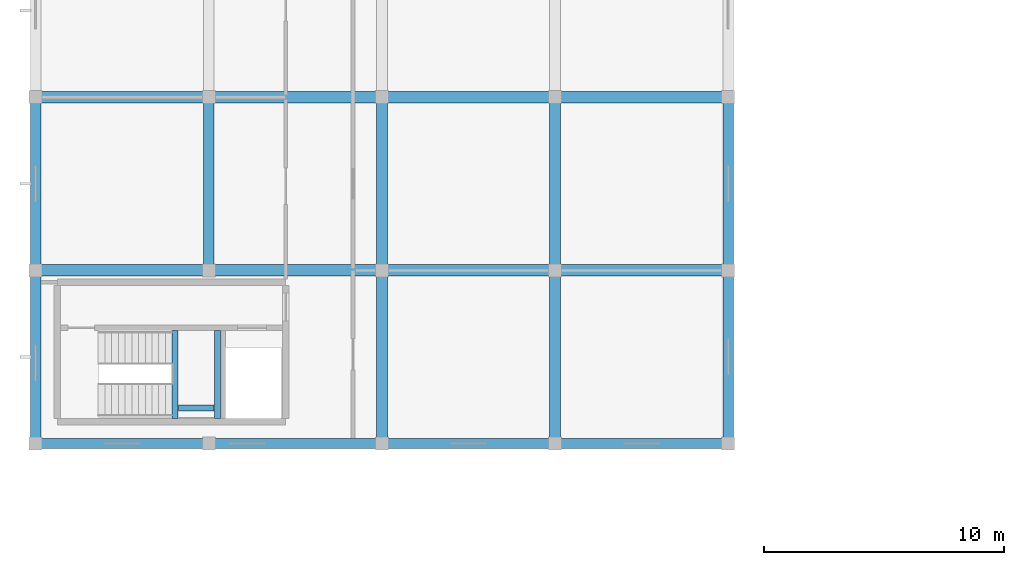
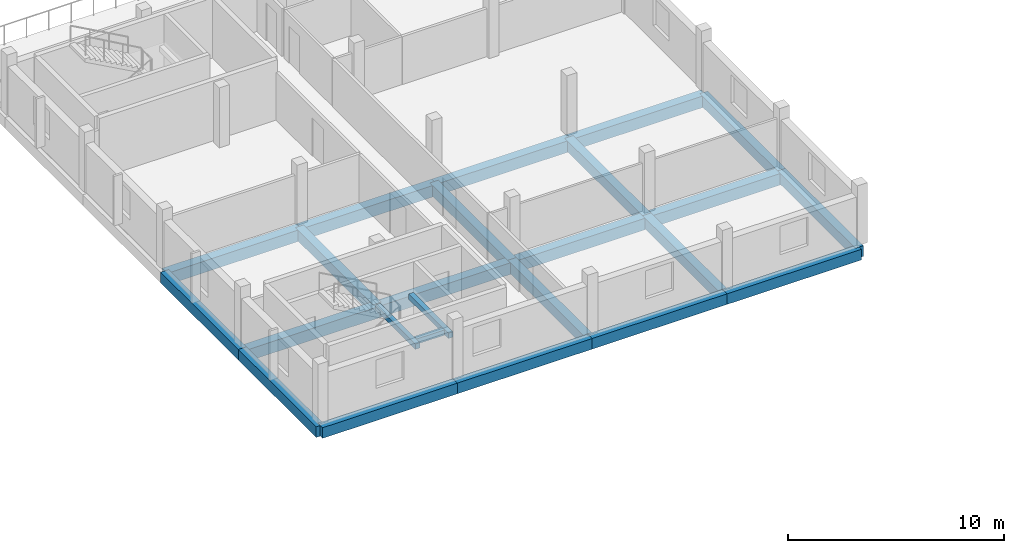
# One storey, part 39 of 84: 24 beams.
"""IFC4 building model written with IfcOpenShell, lengths in metres."""

from ifc_helpers import new_model, si_unit, direction, frame, origin, origin_2d, place, context, subcontext, project, spatial, rectangle, extrude, material, material_profile, profile_set, type_object, element, save


model = new_model("IFC4")

# Units and contexts
model_context = context("Model", 3, precision=1e-05, world=origin(), true_north=direction((0.0, 1.0)))
body_context = subcontext(model_context, "Body", "Model", "MODEL_VIEW")
ifc_project = project(units=[si_unit("LENGTHUNIT", "METRE"), si_unit("AREAUNIT", "SQUARE_METRE"), si_unit("VOLUMEUNIT", "CUBIC_METRE"), si_unit("PLANEANGLEUNIT", "RADIAN"), si_unit("MASSUNIT", "GRAM", prefix="KILO")], contexts=[model_context])

# Site, building, storey
site_placement = place(None, origin())
site = spatial("IfcSite", under=ifc_project, at=site_placement, CompositionType="ELEMENT")
building_placement = place(site_placement, origin())
building = spatial("IfcBuilding", under=site, at=building_placement, Name="Zornivar Specialist Clinic", CompositionType="ELEMENT")
storey_placement = place(building_placement, frame((0.0, 0.0, 12.300048828125)))
storey = spatial("IfcBuildingStorey", under=building, at=storey_placement, Name="L03", CompositionType="ELEMENT", Elevation=12.300048828125)

# Beams
ifc_material_1 = material(Name="Concrete C30/37", Category="concrete")
ifc_material_profile_1 = material_profile(ifc_material_1, rectangle(XDim=0.25, YDim=0.300048828125, at=origin_2d()), Name="RC 250x300")
ifc_profile_set_1 = profile_set([ifc_material_profile_1], Name="Concrete C30/37")
beam_type_1 = type_object("IfcBeamType", Name="BM-LAND-250x300", PredefinedType="BEAM", material=ifc_profile_set_1)
for number, where, z_axis, x_axis, name in (
    (1, (5.800048828125, 80.22998046875, 1.52001953125), (0.0, 1.0, 0.0), (-1.0, 0.0, 0.0), "bm:stair:C7:L03:lW"),
    (2, (7.56005859375, 80.22998046875, 1.52001953125), (0.0, 1.0, 0.0), (-1.0, 0.0, 0.0), "bm:stair:C7:L03:lE"),
):
    element("IfcBeam", number, at=place(storey_placement, frame(where, z_axis=z_axis, x_axis=x_axis)), inside=storey, type_object=beam_type_1, Name=name, PredefinedType="BEAM", context=body_context, shape_type="SweptSolid", body=[
        extrude(rectangle(XDim=0.25, YDim=0.300048828125, at=origin_2d()), origin(), (0.0, 0.0, 1.0), 3.669921875),
    ])
beam_1_placement = place(storey_placement, frame((5.93505859375, 80.679931640625, 1.52001953125), z_axis=(1.0, 0.0, 0.0), x_axis=(0.0, 1.0, 0.0)))
element("IfcBeam", 3, at=beam_1_placement, inside=storey, type_object=beam_type_1, Name="bm:stair:C7:L03:lS", PredefinedType="BEAM", context=body_context, shape_type="SweptSolid", body=[
    extrude(rectangle(XDim=0.25, YDim=0.300048828125, at=origin_2d()), origin(), (0.0, 0.0, 1.0), 1.489990234375),
])
ifc_material_2 = material(Name="Concrete C30/37", Category="concrete")
ifc_material_profile_2 = material_profile(ifc_material_2, rectangle(XDim=0.449951171875, YDim=0.60009765625, at=origin_2d()), Name="RC 450x600")
ifc_profile_set_2 = profile_set([ifc_material_profile_2], Name="Concrete C30/37")
beam_type_2 = type_object("IfcBeamType", Name="BM-RC-450x600", PredefinedType="BEAM", material=ifc_profile_set_2)
beam_2_placement = place(storey_placement, frame((7.199951171875, 86.39990234375, -0.610107421875), z_axis=(0.0, 1.0, 0.0), x_axis=(-1.0, 0.0, 0.0)))
element("IfcBeam", 4, at=beam_2_placement, inside=storey, type_object=beam_type_2, Name="bm:V5:L03:y:72:1", PredefinedType="BEAM", context=body_context, shape_type="SweptSolid", body=[
    extrude(rectangle(XDim=0.449951171875, YDim=0.60009765625, at=origin_2d()), origin(), (0.0, 0.0, 1.0), 7.2001953125),
])
beam_3_placement = place(storey_placement, frame((14.39990234375, 79.199951171875, -0.610107421875), z_axis=(0.0, 1.0, 0.0), x_axis=(-1.0, 0.0, 0.0)))
element("IfcBeam", 5, at=beam_3_placement, inside=storey, type_object=beam_type_2, Name="bm:V5:L03:y:144:0", PredefinedType="BEAM", context=body_context, shape_type="SweptSolid", body=[
    extrude(rectangle(XDim=0.449951171875, YDim=0.60009765625, at=origin_2d()), origin(), (0.0, 0.0, 1.0), 7.199951171875),
])
beam_4_placement = place(storey_placement, frame((14.39990234375, 86.39990234375, -0.610107421875), z_axis=(0.0, 1.0, 0.0), x_axis=(-1.0, 0.0, 0.0)))
element("IfcBeam", 6, at=beam_4_placement, inside=storey, type_object=beam_type_2, Name="bm:V5:L03:y:144:1", PredefinedType="BEAM", context=body_context, shape_type="SweptSolid", body=[
    extrude(rectangle(XDim=0.449951171875, YDim=0.60009765625, at=origin_2d()), origin(), (0.0, 0.0, 1.0), 7.2001953125),
])
beam_5_placement = place(storey_placement, frame((21.60009765625, 79.199951171875, -0.610107421875), z_axis=(0.0, 1.0, 0.0), x_axis=(-1.0, 0.0, 0.0)))
element("IfcBeam", 7, at=beam_5_placement, inside=storey, type_object=beam_type_2, Name="bm:V5:L03:y:216:0", PredefinedType="BEAM", context=body_context, shape_type="SweptSolid", body=[
    extrude(rectangle(XDim=0.449951171875, YDim=0.60009765625, at=origin_2d()), origin(), (0.0, 0.0, 1.0), 7.199951171875),
])
beam_6_placement = place(storey_placement, frame((21.60009765625, 86.39990234375, -0.610107421875), z_axis=(0.0, 1.0, 0.0), x_axis=(-1.0, 0.0, 0.0)))
element("IfcBeam", 8, at=beam_6_placement, inside=storey, type_object=beam_type_2, Name="bm:V5:L03:y:216:1", PredefinedType="BEAM", context=body_context, shape_type="SweptSolid", body=[
    extrude(rectangle(XDim=0.449951171875, YDim=0.60009765625, at=origin_2d()), origin(), (0.0, 0.0, 1.0), 7.2001953125),
])
ifc_material_3 = material(Name="Concrete C30/37", Category="concrete")
ifc_material_profile_3 = material_profile(ifc_material_3, rectangle(XDim=0.47998046875, YDim=0.64990234375, at=origin_2d()), Name="RC 480x650")
ifc_profile_set_3 = profile_set([ifc_material_profile_3], Name="Concrete C30/37")
beam_type_3 = type_object("IfcBeamType", Name="BM-RC-480x650", PredefinedType="BEAM", material=ifc_profile_set_3)
for number, where, z_axis, x_axis, name in (
    (9, (0.0, 86.39990234375, -0.635009765625), (1.0, 0.0, 0.0), (0.0, 1.0, 0.0), "bm:V5:L03:x:864:0"),
    (10, (7.199951171875, 86.39990234375, -0.635009765625), (1.0, 0.0, 0.0), (0.0, 1.0, 0.0), "bm:V5:L03:x:864:1"),
):
    element("IfcBeam", number, at=place(storey_placement, frame(where, z_axis=z_axis, x_axis=x_axis)), inside=storey, type_object=beam_type_3, Name=name, PredefinedType="BEAM", context=body_context, shape_type="SweptSolid", body=[
        extrude(rectangle(XDim=0.47998046875, YDim=0.64990234375, at=origin_2d()), origin(), (0.0, 0.0, 1.0), 7.199951171875),
    ])
beam_7_placement = place(storey_placement, frame((14.39990234375, 86.39990234375, -0.635009765625), z_axis=(1.0, 0.0, 0.0), x_axis=(0.0, 1.0, 0.0)))
element("IfcBeam", 11, at=beam_7_placement, inside=storey, type_object=beam_type_3, Name="bm:V5:L03:x:864:2", PredefinedType="BEAM", context=body_context, shape_type="SweptSolid", body=[
    extrude(rectangle(XDim=0.47998046875, YDim=0.64990234375, at=origin_2d()), origin(), (0.0, 0.0, 1.0), 7.2001953125),
])
for number, where, z_axis, x_axis, name in (
    (12, (21.60009765625, 86.39990234375, -0.635009765625), (1.0, 0.0, 0.0), (0.0, 1.0, 0.0), "bm:V5:L03:x:864:3"),
    (13, (0.0, 93.60009765625, -0.635009765625), (1.0, 0.0, 0.0), (0.0, 1.0, 0.0), "bm:V5:L03:x:936:0"),
    (14, (7.199951171875, 93.60009765625, -0.635009765625), (1.0, 0.0, 0.0), (0.0, 1.0, 0.0), "bm:V5:L03:x:936:1"),
):
    element("IfcBeam", number, at=place(storey_placement, frame(where, z_axis=z_axis, x_axis=x_axis)), inside=storey, type_object=beam_type_3, Name=name, PredefinedType="BEAM", context=body_context, shape_type="SweptSolid", body=[
        extrude(rectangle(XDim=0.47998046875, YDim=0.64990234375, at=origin_2d()), origin(), (0.0, 0.0, 1.0), 7.199951171875),
    ])
beam_8_placement = place(storey_placement, frame((14.39990234375, 93.60009765625, -0.635009765625), z_axis=(1.0, 0.0, 0.0), x_axis=(0.0, 1.0, 0.0)))
element("IfcBeam", 15, at=beam_8_placement, inside=storey, type_object=beam_type_3, Name="bm:V5:L03:x:936:2", PredefinedType="BEAM", context=body_context, shape_type="SweptSolid", body=[
    extrude(rectangle(XDim=0.47998046875, YDim=0.64990234375, at=origin_2d()), origin(), (0.0, 0.0, 1.0), 7.2001953125),
])
beam_9_placement = place(storey_placement, frame((21.60009765625, 93.60009765625, -0.635009765625), z_axis=(1.0, 0.0, 0.0), x_axis=(0.0, 1.0, 0.0)))
element("IfcBeam", 16, at=beam_9_placement, inside=storey, type_object=beam_type_3, Name="bm:V5:L03:x:936:3", PredefinedType="BEAM", context=body_context, shape_type="SweptSolid", body=[
    extrude(rectangle(XDim=0.47998046875, YDim=0.64990234375, at=origin_2d()), origin(), (0.0, 0.0, 1.0), 7.199951171875),
])
ifc_material_4 = material(Name="Concrete C30/37", Category="concrete")
ifc_material_profile_4 = material_profile(ifc_material_4, rectangle(XDim=0.429931640625, YDim=0.60009765625, at=origin_2d()), Name="RC 430x600")
ifc_profile_set_4 = profile_set([ifc_material_profile_4], Name="Concrete C30/37")
beam_type_4 = type_object("IfcBeamType", Name="BM-RC-SPANDREL-430x600", PredefinedType="SPANDREL", material=ifc_profile_set_4)
for number, where, z_axis, x_axis, name in (
    (17, (0.0, 79.199951171875, -0.610107421875), (1.0, 0.0, 0.0), (0.0, 1.0, 0.0), "bm:V5:L03:x:792:0"),
    (18, (7.199951171875, 79.199951171875, -0.610107421875), (1.0, 0.0, 0.0), (0.0, 1.0, 0.0), "bm:V5:L03:x:792:1"),
):
    element("IfcBeam", number, at=place(storey_placement, frame(where, z_axis=z_axis, x_axis=x_axis)), inside=storey, type_object=beam_type_4, Name=name, PredefinedType="SPANDREL", context=body_context, shape_type="SweptSolid", body=[
        extrude(rectangle(XDim=0.429931640625, YDim=0.60009765625, at=origin_2d()), origin(), (0.0, 0.0, 1.0), 7.199951171875),
    ])
beam_10_placement = place(storey_placement, frame((14.39990234375, 79.199951171875, -0.610107421875), z_axis=(1.0, 0.0, 0.0), x_axis=(0.0, 1.0, 0.0)))
element("IfcBeam", 19, at=beam_10_placement, inside=storey, type_object=beam_type_4, Name="bm:V5:L03:x:792:2", PredefinedType="SPANDREL", context=body_context, shape_type="SweptSolid", body=[
    extrude(rectangle(XDim=0.429931640625, YDim=0.60009765625, at=origin_2d()), origin(), (0.0, 0.0, 1.0), 7.2001953125),
])
for number, where, z_axis, x_axis, name in (
    (20, (21.60009765625, 79.199951171875, -0.610107421875), (1.0, 0.0, 0.0), (0.0, 1.0, 0.0), "bm:V5:L03:x:792:3"),
    (21, (0.0, 79.199951171875, -0.610107421875), (0.0, 1.0, 0.0), (-1.0, 0.0, 0.0), "bm:V5:L03:y:0:0"),
):
    element("IfcBeam", number, at=place(storey_placement, frame(where, z_axis=z_axis, x_axis=x_axis)), inside=storey, type_object=beam_type_4, Name=name, PredefinedType="SPANDREL", context=body_context, shape_type="SweptSolid", body=[
        extrude(rectangle(XDim=0.429931640625, YDim=0.60009765625, at=origin_2d()), origin(), (0.0, 0.0, 1.0), 7.199951171875),
    ])
beam_11_placement = place(storey_placement, frame((0.0, 86.39990234375, -0.610107421875), z_axis=(0.0, 1.0, 0.0), x_axis=(-1.0, 0.0, 0.0)))
element("IfcBeam", 22, at=beam_11_placement, inside=storey, type_object=beam_type_4, Name="bm:V5:L03:y:0:1", PredefinedType="SPANDREL", context=body_context, shape_type="SweptSolid", body=[
    extrude(rectangle(XDim=0.429931640625, YDim=0.60009765625, at=origin_2d()), origin(), (0.0, 0.0, 1.0), 7.2001953125),
])
beam_12_placement = place(storey_placement, frame((28.800048828125, 79.199951171875, -0.610107421875), z_axis=(0.0, 1.0, 0.0), x_axis=(-1.0, 0.0, 0.0)))
element("IfcBeam", 23, at=beam_12_placement, inside=storey, type_object=beam_type_4, Name="bm:V5:L03:y:288:0", PredefinedType="SPANDREL", context=body_context, shape_type="SweptSolid", body=[
    extrude(rectangle(XDim=0.429931640625, YDim=0.60009765625, at=origin_2d()), origin(), (0.0, 0.0, 1.0), 7.199951171875),
])
beam_13_placement = place(storey_placement, frame((28.800048828125, 86.39990234375, -0.610107421875), z_axis=(0.0, 1.0, 0.0), x_axis=(-1.0, 0.0, 0.0)))
element("IfcBeam", 24, at=beam_13_placement, inside=storey, type_object=beam_type_4, Name="bm:V5:L03:y:288:1", PredefinedType="SPANDREL", context=body_context, shape_type="SweptSolid", body=[
    extrude(rectangle(XDim=0.429931640625, YDim=0.60009765625, at=origin_2d()), origin(), (0.0, 0.0, 1.0), 7.2001953125),
])

save(model, "model.ifc")
